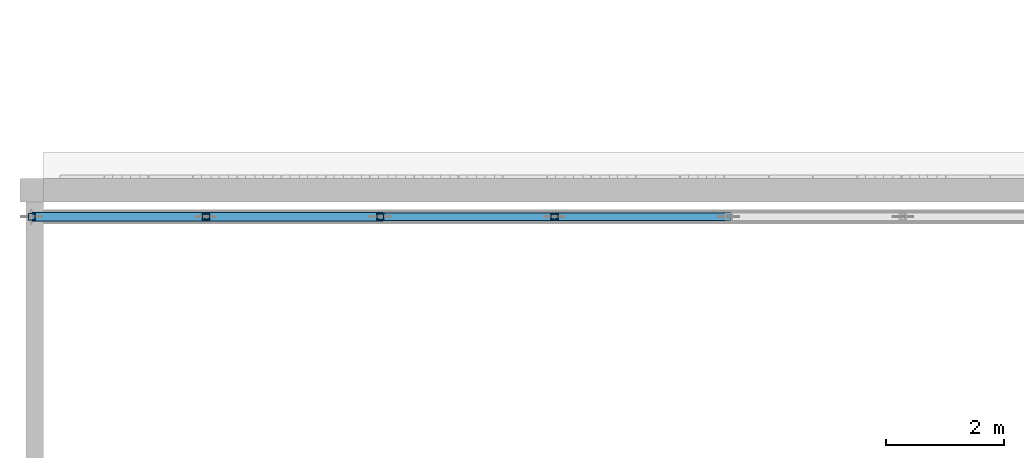
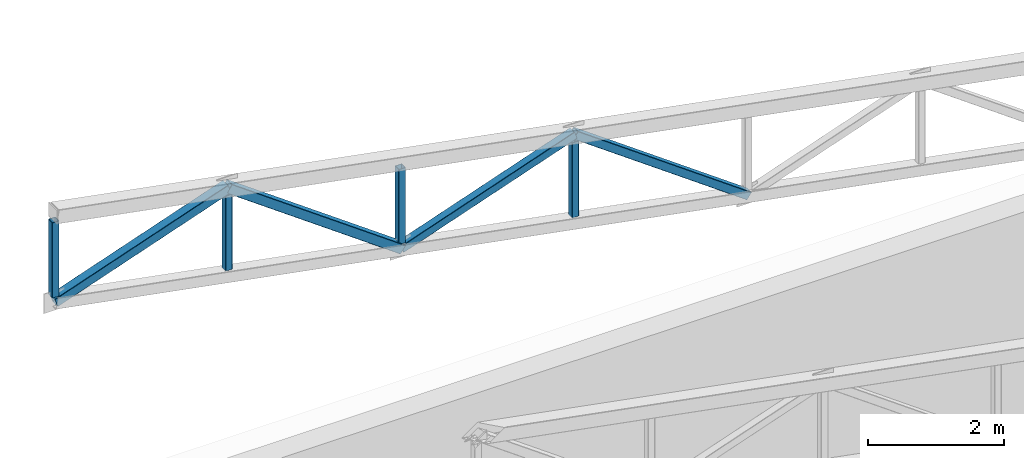
# One storey, part 45 of 125: 8 members.
"""IFC4 building model written with IfcOpenShell, lengths in metres."""

from ifc_helpers import new_model, si_unit, direction, frame, origin, origin_2d, place, context, subcontext, project, spatial, hollow_rectangle, extrude, material, material_profile, profile_set, type_object, element, save


model = new_model("IFC4")

# Units and contexts
model_context = context("Model", 3, precision=1e-05, world=origin(), true_north=direction((0.0, 1.0)))
body_context = subcontext(model_context, "Body", "Model", "MODEL_VIEW")
ifc_project = project(units=[si_unit("LENGTHUNIT", "METRE"), si_unit("AREAUNIT", "SQUARE_METRE"), si_unit("VOLUMEUNIT", "CUBIC_METRE"), si_unit("PLANEANGLEUNIT", "RADIAN"), si_unit("MASSUNIT", "GRAM", prefix="KILO")], contexts=[model_context])

# Site, building, storey
site_placement = place(None, origin())
site = spatial("IfcSite", under=ifc_project, at=site_placement, CompositionType="ELEMENT")
building_placement = place(site_placement, origin())
building = spatial("IfcBuilding", under=site, at=building_placement, Name="Sun Court Science Centre", CompositionType="ELEMENT")
storey_placement = place(building_placement, frame((0.0, 0.0, 6.0)))
storey = spatial("IfcBuildingStorey", under=building, at=storey_placement, Name="L01", CompositionType="ELEMENT", Elevation=6.0)

# Members
ifc_material_1 = material(Name="Steel S355", Category="steel")
ifc_material_profile_1 = material_profile(ifc_material_1, hollow_rectangle(XDim=0.139892578125, YDim=0.139892578125, WallThickness=0.008056640625, InnerFilletRadius=0.008056640625, OuterFilletRadius=0.011962890625, at=origin_2d()), Name="SHS 140x140x8")
ifc_profile_set_1 = profile_set([ifc_material_profile_1], Name="Steel S355")
member_type_1 = type_object("IfcMemberType", Name="Truss diagonal SHS 140x140x8", PredefinedType="BRACE", material=ifc_profile_set_1)
member_1_placement = place(storey_placement, frame((6.10009765625, 71.35009765625, 8.236328125), z_axis=(0.94492748348, 0.0, 0.327279774755), x_axis=(0.0, 1.0, 0.0)))
element("IfcMember", 1, at=member_1_placement, inside=storey, type_object=member_type_1, Name="Roof truss 4 diagonal 3", PredefinedType="BRACE", context=body_context, shape_type="SweptSolid", body=[
    extrude(hollow_rectangle(XDim=0.139892578125, YDim=0.139892578125, WallThickness=0.008056640625, InnerFilletRadius=0.008056640625, OuterFilletRadius=0.011962890625, at=origin_2d()), origin(), (0.0, 0.0, 1.0), 3.121826171875),
])
member_2_placement = place(storey_placement, frame((9.050048828125, 71.35009765625, 9.258056640625), z_axis=(0.810985300315, 0.0, -0.585066528416), x_axis=(0.0, 1.0, 0.0)))
element("IfcMember", 2, at=member_2_placement, inside=storey, type_object=member_type_1, Name="Roof truss 4 diagonal 4", PredefinedType="BRACE", context=body_context, shape_type="SweptSolid", body=[
    extrude(hollow_rectangle(XDim=0.139892578125, YDim=0.139892578125, WallThickness=0.008056640625, InnerFilletRadius=0.008056640625, OuterFilletRadius=0.011962890625, at=origin_2d()), origin(), (0.0, 0.0, 1.0), 3.637451171875),
])
ifc_material_2 = material(Name="Steel S355", Category="steel")
ifc_material_profile_2 = material_profile(ifc_material_2, hollow_rectangle(XDim=0.159912109375, YDim=0.159912109375, WallThickness=0.008056640625, InnerFilletRadius=0.008056640625, OuterFilletRadius=0.011962890625, at=origin_2d()), Name="SHS 160x160x8")
ifc_profile_set_2 = profile_set([ifc_material_profile_2], Name="Steel S355")
member_type_2 = type_object("IfcMemberType", Name="Truss diagonal SHS 160x160x8", PredefinedType="BRACE", material=ifc_profile_set_2)
member_3_placement = place(storey_placement, frame((0.199951171875, 71.35009765625, 9.342529296875), z_axis=(0.94492748348, 0.0, 0.327279774755), x_axis=(0.0, 1.0, 0.0)))
element("IfcMember", 3, at=member_3_placement, inside=storey, type_object=member_type_2, Name="Roof truss 4 diagonal 1", PredefinedType="BRACE", context=body_context, shape_type="SweptSolid", body=[
    extrude(hollow_rectangle(XDim=0.159912109375, YDim=0.159912109375, WallThickness=0.008056640625, InnerFilletRadius=0.008056640625, OuterFilletRadius=0.011962890625, at=origin_2d()), origin(), (0.0, 0.0, 1.0), 3.121826171875),
])
member_4_placement = place(storey_placement, frame((3.14990234375, 71.35009765625, 10.3642578125), z_axis=(0.811040116677, 0.0, -0.58499053765), x_axis=(0.0, 1.0, 0.0)))
element("IfcMember", 4, at=member_4_placement, inside=storey, type_object=member_type_2, Name="Roof truss 4 diagonal 2", PredefinedType="BRACE", context=body_context, shape_type="SweptSolid", body=[
    extrude(hollow_rectangle(XDim=0.159912109375, YDim=0.159912109375, WallThickness=0.008056640625, InnerFilletRadius=0.008056640625, OuterFilletRadius=0.011962890625, at=origin_2d()), origin(), (0.0, 0.0, 1.0), 3.637451171875),
])
ifc_material_3 = material(Name="Steel S355", Category="steel")
ifc_material_profile_3 = material_profile(ifc_material_3, hollow_rectangle(XDim=0.1201171875, YDim=0.1201171875, WallThickness=0.008056640625, InnerFilletRadius=0.008056640625, OuterFilletRadius=0.011962890625, at=origin_2d()), Name="SHS 120x120x8")
ifc_profile_set_3 = profile_set([ifc_material_profile_3], Name="Steel S355")
member_type_3 = type_object("IfcMemberType", Name="Truss post SHS 120x120x8", PredefinedType="POST", material=ifc_profile_set_3)
member_5_placement = place(storey_placement, frame((0.199951171875, 71.35009765625, 9.4423828125), z_axis=(0.0, 0.0, 1.0), x_axis=(1.0, 0.0, 0.0)))
element("IfcMember", 5, at=member_5_placement, inside=storey, type_object=member_type_3, Name="Roof truss 4 post 1", PredefinedType="POST", context=body_context, shape_type="SweptSolid", body=[
    extrude(hollow_rectangle(XDim=0.1201171875, YDim=0.1201171875, WallThickness=0.008056640625, InnerFilletRadius=0.008056640625, OuterFilletRadius=0.011962890625, at=origin_2d()), origin(), (0.0, 0.0, 1.0), 1.35009765625),
])
member_6_placement = place(storey_placement, frame((3.14990234375, 71.35009765625, 8.889404296875), z_axis=(0.0, 0.0, 1.0), x_axis=(1.0, 0.0, 0.0)))
element("IfcMember", 6, at=member_6_placement, inside=storey, type_object=member_type_3, Name="Roof truss 4 post 2", PredefinedType="POST", context=body_context, shape_type="SweptSolid", body=[
    extrude(hollow_rectangle(XDim=0.1201171875, YDim=0.1201171875, WallThickness=0.008056640625, InnerFilletRadius=0.008056640625, OuterFilletRadius=0.011962890625, at=origin_2d()), origin(), (0.0, 0.0, 1.0), 1.349853515625),
])
member_7_placement = place(storey_placement, frame((6.10009765625, 71.35009765625, 8.336181640625), z_axis=(0.0, 0.0, 1.0), x_axis=(1.0, 0.0, 0.0)))
element("IfcMember", 7, at=member_7_placement, inside=storey, type_object=member_type_3, Name="Roof truss 4 post 3", PredefinedType="POST", context=body_context, shape_type="SweptSolid", body=[
    extrude(hollow_rectangle(XDim=0.1201171875, YDim=0.1201171875, WallThickness=0.008056640625, InnerFilletRadius=0.008056640625, OuterFilletRadius=0.011962890625, at=origin_2d()), origin(), (0.0, 0.0, 1.0), 1.35009765625),
])
member_8_placement = place(storey_placement, frame((9.050048828125, 71.35009765625, 7.783203125), z_axis=(0.0, 0.0, 1.0), x_axis=(1.0, 0.0, 0.0)))
element("IfcMember", 8, at=member_8_placement, inside=storey, type_object=member_type_3, Name="Roof truss 4 post 4", PredefinedType="POST", context=body_context, shape_type="SweptSolid", body=[
    extrude(hollow_rectangle(XDim=0.1201171875, YDim=0.1201171875, WallThickness=0.008056640625, InnerFilletRadius=0.008056640625, OuterFilletRadius=0.011962890625, at=origin_2d()), origin(), (0.0, 0.0, 1.0), 1.349853515625),
])

save(model, "model.ifc")
